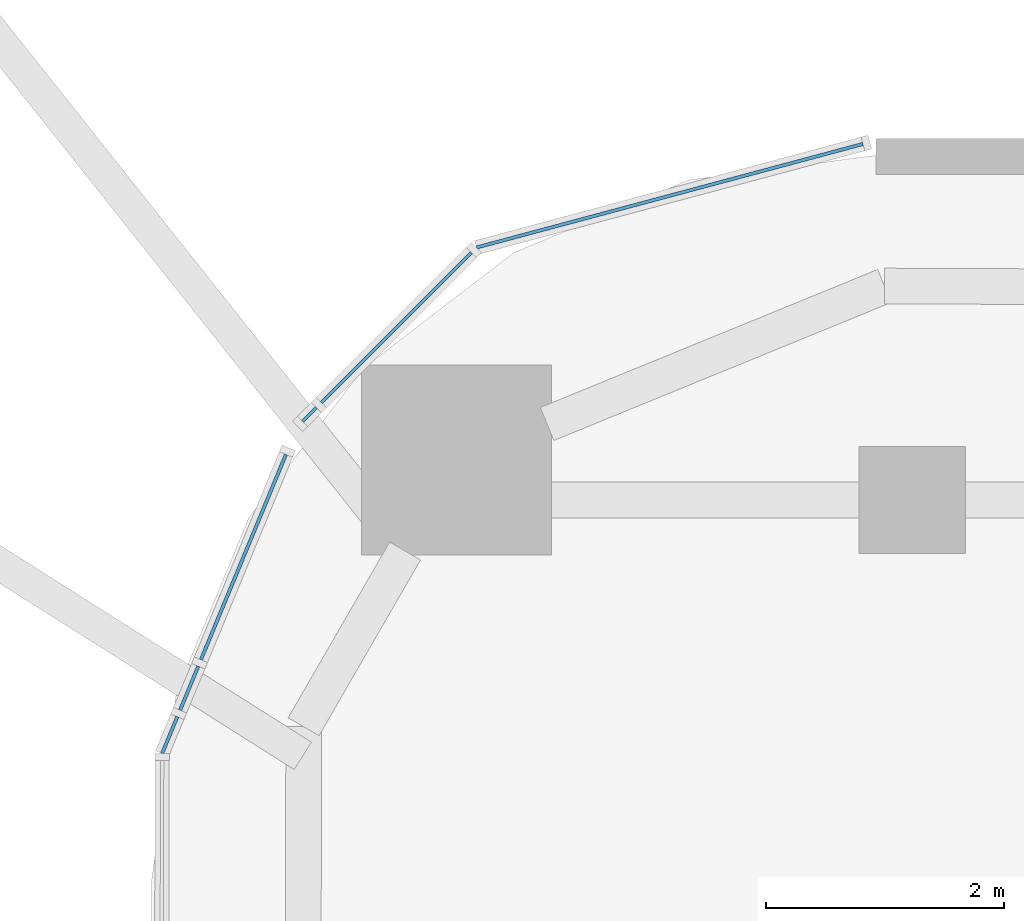
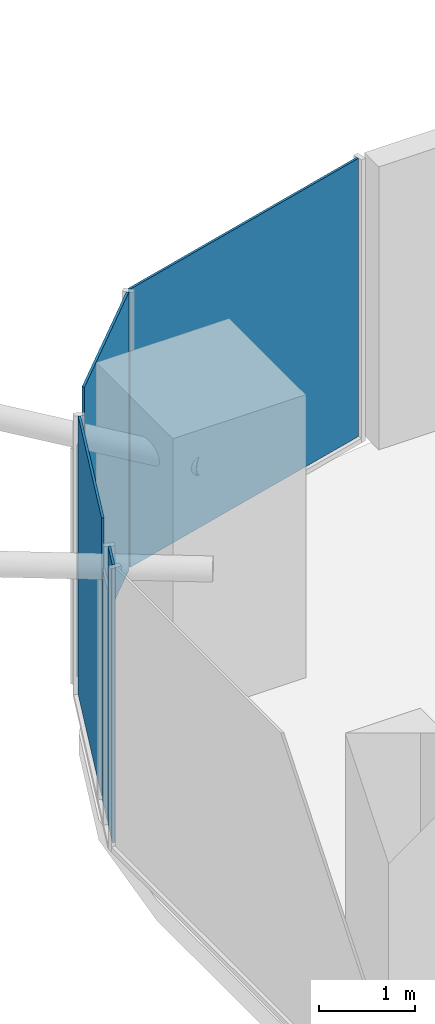
# One storey, part 25 of 36: 6 plates, 6 elements without a shape of their own.
"""IFC4 building model written with IfcOpenShell, lengths in metres."""

import ifcopenshell
import ifcopenshell.guid

model = None  # the IFC model being written
_history = None  # IfcOwnerHistory: only IFC2X3 demands one
_inside = {}  # id of a spatial element -> (the spatial element, [elements in it])
_under = {}  # id of a project, library or spatial element -> (it, [spatial elements below it])
_declared = {}  # id of a project -> (the project, [libraries it declares])
_typed = {}  # id of a type object -> (the type object, [elements of that type])
_made_of = {}  # id of a material, layer set ... -> (it, [elements and type objects made of it])


def new_model(schema):
    """Start an empty IFC model of exactly this schema.

    Asked for "IFC4X3", IfcOpenShell would pick the latest addendum, in which some entities
    have other attributes; the version numbers below select the first issue.
    IFC2X3 requires an IfcOwnerHistory on every rooted entity: one is made here for all.
    """
    global model, _history
    if schema == "IFC4X3":
        model = ifcopenshell.file(schema_version=(4, 3, 0, 0))
    else:
        model = ifcopenshell.file(schema=schema)
    _inside.clear()
    _under.clear()
    _declared.clear()
    _typed.clear()
    _made_of.clear()
    _history = None
    if model.schema == "IFC2X3":
        org = make("IfcOrganization", Name="unknown")
        user = make(
            "IfcPersonAndOrganization",
            ThePerson=make("IfcPerson", FamilyName="unknown"),
            TheOrganization=org,
        )
        app = make(
            "IfcApplication",
            ApplicationDeveloper=org,
            Version="unknown",
            ApplicationFullName="unknown",
            ApplicationIdentifier="unknown",
        )
        _history = make(
            "IfcOwnerHistory",
            OwningUser=user,
            OwningApplication=app,
            ChangeAction="ADDED",
            CreationDate=0,
        )
    return model


def make(cls, **values):
    """One entity of the class cls with the attributes given. An attribute that is None is left unset."""
    return model.create_entity(
        cls, **{name: value for name, value in values.items() if value is not None}
    )


def rooted(cls, **values):
    """An entity with a GlobalId (a new one), such as an element, a storey or a relation."""
    return make(cls, GlobalId=ifcopenshell.guid.new(), OwnerHistory=_history, **values)


def si_unit(unit_type, name, prefix=None):
    """IfcSIUnit, for example si_unit("LENGTHUNIT", "METRE", prefix="MILLI")."""
    return make("IfcSIUnit", UnitType=unit_type, Prefix=prefix, Name=name)


def assignment(units):
    """IfcUnitAssignment: the units of a project."""
    return None if units is None else make("IfcUnitAssignment", Units=units)


def point(xyz):
    """IfcCartesianPoint."""
    return None if xyz is None else make("IfcCartesianPoint", Coordinates=xyz)


def direction(xyz):
    """IfcDirection."""
    return None if xyz is None else make("IfcDirection", DirectionRatios=xyz)


def frame(location, z_axis=None, x_axis=None):
    """IfcAxis2Placement3D, a coordinate frame: its origin and axes. An axis left out is left unset."""
    return make(
        "IfcAxis2Placement3D",
        Location=point(location),
        Axis=direction(z_axis),
        RefDirection=direction(x_axis),
    )


def frame_2d(location, x_axis=None):
    """IfcAxis2Placement2D, a coordinate frame in the plane: its origin and x axis."""
    return make(
        "IfcAxis2Placement2D", Location=point(location), RefDirection=direction(x_axis)
    )


def origin():
    """The frame at (0, 0, 0) with its axes left unset."""
    return frame((0.0, 0.0, 0.0))


def origin_2d():
    """The frame at (0, 0) in the plane with its x axis left unset."""
    return frame_2d((0.0, 0.0))


def place(relative_to, where):
    """IfcLocalPlacement: puts the frame where relative to a parent placement (None: the world)."""
    return make(
        "IfcLocalPlacement", PlacementRelTo=relative_to, RelativePlacement=where
    )


def context(
    kind, dimensions, precision=None, world=None, true_north=None, identifier=None
):
    """IfcGeometricRepresentationContext, for example the 3D "Model" context."""
    return make(
        "IfcGeometricRepresentationContext",
        ContextIdentifier=identifier,
        ContextType=kind,
        CoordinateSpaceDimension=dimensions,
        Precision=precision,
        WorldCoordinateSystem=world,
        TrueNorth=true_north,
    )


def subcontext(parent, identifier, kind, view, scale=None):
    """IfcGeometricRepresentationSubContext, for example "Body" below "Model"."""
    return make(
        "IfcGeometricRepresentationSubContext",
        ContextIdentifier=identifier,
        ContextType=kind,
        ParentContext=parent,
        TargetScale=scale,
        TargetView=view,
    )


def project(units=None, contexts=None):
    """IfcProject with its units and contexts."""
    return rooted(
        "IfcProject",
        Name="project",
        RepresentationContexts=contexts,
        UnitsInContext=assignment(units),
    )


def spatial(cls, under=None, at=None, **own):
    """A site, building, storey or space (cls), placed at a placement, below another one or the project."""
    s = rooted(cls, ObjectPlacement=at, **own)
    if under is not None:
        _under.setdefault(under.id(), (under, []))[1].append(s)
    return s


def profile(cls, at=None, kind="AREA", **sizes):
    """A parametric profile (cls). Its sizes go by their IFC names, for example OverallWidth=200.0."""
    return make(cls, ProfileType=kind, Position=at, **sizes)


def rectangle(**sizes):
    """IfcRectangleProfileDef."""
    return profile("IfcRectangleProfileDef", **sizes)


def extrude(swept, where, along, depth):
    """IfcExtrudedAreaSolid: the profile swept, set in the frame where, extruded along a direction by depth."""
    return make(
        "IfcExtrudedAreaSolid",
        SweptArea=swept,
        Position=where,
        ExtrudedDirection=direction(along),
        Depth=depth,
    )


def shape(context_of_items, identifier, shape_type, items):
    """IfcShapeRepresentation: the items that make up one representation, for example the "Body"."""
    return make(
        "IfcShapeRepresentation",
        ContextOfItems=context_of_items,
        RepresentationIdentifier=identifier,
        RepresentationType=shape_type,
        Items=items,
    )


def material(Name=None, Category=None):
    """IfcMaterial."""
    return make("IfcMaterial", Name=Name, Category=Category)


def layer(
    of_material, thickness, ventilated=None, Name=None, Category=None, Priority=None
):
    """IfcMaterialLayer: one layer of a wall or slab, of a material (None: an air gap)."""
    return make(
        "IfcMaterialLayer",
        Material=of_material,
        LayerThickness=thickness,
        IsVentilated=ventilated,
        Name=Name,
        Category=Category,
        Priority=Priority,
    )


def layer_set(layers, Name=None):
    """IfcMaterialLayerSet."""
    return make("IfcMaterialLayerSet", MaterialLayers=layers, LayerSetName=Name)


def made_of(thing, what):
    """Note that an element or type object is made of a material, layer set ...; save() writes the relation."""
    if what is not None:
        _made_of.setdefault(what.id(), (what, []))[1].append(thing)
    return thing


def type_object(cls, material=None, **own):
    """A type object (cls), such as IfcWallType, which elements share."""
    return made_of(rooted(cls, **own), material)


def element(
    cls,
    number,
    at=None,
    inside=None,
    cuts=None,
    type_object=None,
    material=None,
    context=None,
    identifier="Body",
    shape_type=None,
    held_by="IfcProductDefinitionShape",
    body=None,
    shapes=None,
    **own,
):
    """One element of the class cls, such as IfcWall. Its Tag is "e" and its number.

    at: its placement. inside: the storey or other place that contains it. cuts: it is an
    opening in that element (IfcRelVoidsElement). A single representation is given by context,
    identifier, shape_type and body (its items); several are given by shapes. held_by: the class
    of the entity that holds the representations. save() writes the other relations.
    """
    e = rooted(cls, Tag="e%d" % number, ObjectPlacement=at, **own)
    if body is not None:
        shapes = [shape(context, identifier, shape_type, body)]
    if shapes is not None:
        e.Representation = make(held_by, Representations=shapes)
    if inside is not None:
        _inside.setdefault(inside.id(), (inside, []))[1].append(e)
    if cuts is not None:
        rooted(
            "IfcRelVoidsElement", RelatingBuildingElement=cuts, RelatedOpeningElement=e
        )
    if type_object is not None:
        _typed.setdefault(type_object.id(), (type_object, []))[1].append(e)
    return made_of(e, material)


def aggregate(whole, parts):
    """IfcRelAggregates: a whole, such as a stair, and the parts it consists of."""
    return rooted("IfcRelAggregates", RelatingObject=whole, RelatedObjects=parts)


def save(model, path):
    """Write the relations noted so far, then the file.

    IfcRelAggregates (storeys below a building ...), IfcRelContainedInSpatialStructure (elements
    in a storey), IfcRelDefinesByType, IfcRelAssociatesMaterial and IfcRelDeclares: one each for
    every whole, place, type object, material and project.
    """
    for whole, parts in _under.values():
        aggregate(whole, parts)
    for where, things in _inside.values():
        rooted(
            "IfcRelContainedInSpatialStructure",
            RelatedElements=things,
            RelatingStructure=where,
        )
    for kind, things in _typed.values():
        rooted("IfcRelDefinesByType", RelatedObjects=things, RelatingType=kind)
    for what, things in _made_of.values():
        rooted("IfcRelAssociatesMaterial", RelatedObjects=things, RelatingMaterial=what)
    for by, libraries in _declared.values():
        rooted("IfcRelDeclares", RelatingContext=by, RelatedDefinitions=libraries)
    model.write(path)


model = new_model("IFC4")

# Units and contexts
model_context = context("Model", 3, precision=1e-05, world=origin(), true_north=direction((0.0, 1.0)))
body_context = subcontext(model_context, "Body", "Model", "MODEL_VIEW")
ifc_project = project(units=[si_unit("LENGTHUNIT", "METRE"), si_unit("AREAUNIT", "SQUARE_METRE"), si_unit("VOLUMEUNIT", "CUBIC_METRE"), si_unit("PLANEANGLEUNIT", "RADIAN"), si_unit("MASSUNIT", "GRAM", prefix="KILO")], contexts=[model_context])

# Site, building, storey
site_placement = place(None, origin())
site = spatial("IfcSite", under=ifc_project, at=site_placement, CompositionType="ELEMENT")
building_placement = place(site_placement, origin())
building = spatial("IfcBuilding", under=site, at=building_placement, Name="Marenta Gate Hotel Tower", CompositionType="ELEMENT")
storey_placement = place(building_placement, frame((0.0, 0.0, 158.89990234375)))
storey = spatial("IfcBuildingStorey", under=building, at=storey_placement, Name="L37", CompositionType="ELEMENT", Elevation=158.89990234375)

# Curtain wall, plate
ifc_material_1 = material(Name="Tinted insulated glass in bronze anodised frame", Category="glass")
ifc_layer_1 = layer(ifc_material_1, 0.1201171875)
ifc_layer_set_1 = layer_set([ifc_layer_1], Name="Tinted insulated glass in bronze anodised frame")
curtain_wall_type = type_object("IfcCurtainWallType", Name="Tower unitised curtain wall CW1", PredefinedType="NOTDEFINED", material=ifc_layer_set_1)
curtain_wall_1_placement = place(storey_placement, origin())
curtain_wall_1 = element("IfcCurtainWall", 1, at=curtain_wall_1_placement, inside=storey, type_object=curtain_wall_type, Name="CW1 run G00", PredefinedType="NOTDEFINED")
ifc_material_2 = material(Name="Tinted insulated glass", Category="glass")
ifc_layer_2 = layer(ifc_material_2, 0.028076171875)
ifc_layer_set_2 = layer_set([ifc_layer_2], Name="Tinted insulated glass")
plate_type = type_object("IfcPlateType", Name="Glass panel CW1 28 mm tinted insulated unit", PredefinedType="CURTAIN_PANEL", material=ifc_layer_set_2)
plate_1_placement = place(storey_placement, frame((-23.04052734375, 27.759765625, 0.06005859375), z_axis=(0.0, 0.0, 1.0), x_axis=(-0.96593059835, -0.258801234873, 0.0)))
plate_1 = element("IfcPlate", 2, at=plate_1_placement, type_object=plate_type, Name="CW1 panel 1.1", PredefinedType="CURTAIN_PANEL", context=body_context, shape_type="SweptSolid", body=[
    extrude(rectangle(XDim=3.366943359375, YDim=0.028076171875, at=origin_2d()), origin(), (0.0, 0.0, 1.0), 3.5400390625),
])
aggregate(curtain_wall_1, [plate_1])

curtain_wall_2_placement = place(storey_placement, origin())
curtain_wall_2 = element("IfcCurtainWall", 3, at=curtain_wall_2_placement, inside=storey, type_object=curtain_wall_type, Name="CW1 run G01", PredefinedType="NOTDEFINED")
plate_2_placement = place(storey_placement, frame((-25.340087890625, 26.650634765625, 0.06005859375), z_axis=(0.0, 0.0, 1.0), x_axis=(-0.707106781187, -0.707106781187, 0.0)))
plate_2 = element("IfcPlate", 4, at=plate_2_placement, type_object=plate_type, Name="CW1 panel 1.1", PredefinedType="CURTAIN_PANEL", context=body_context, shape_type="SweptSolid", body=[
    extrude(rectangle(XDim=1.784912109375, YDim=0.028076171875, at=origin_2d()), origin(), (0.0, 0.0, 1.0), 3.5400390625),
])
aggregate(curtain_wall_2, [plate_2])

curtain_wall_3_placement = place(storey_placement, origin())
curtain_wall_3 = element("IfcCurtainWall", 5, at=curtain_wall_3_placement, inside=storey, type_object=curtain_wall_type, Name="CW1 run G02", PredefinedType="NOTDEFINED")
plate_3_placement = place(storey_placement, frame((-26.07177734375, 25.9189453125, 0.060302734375), z_axis=(0.0, 0.0, 1.0), x_axis=(-0.707106781187, -0.707106781187, 0.0)))
plate_3 = element("IfcPlate", 6, at=plate_3_placement, type_object=plate_type, Name="CW1 panel 1.1", PredefinedType="CURTAIN_PANEL", context=body_context, shape_type="SweptSolid", body=[
    extrude(rectangle(XDim=0.164306640625, YDim=0.028076171875, at=origin_2d()), origin(), (0.0, 0.0, 1.0), 2.9404296875),
])
aggregate(curtain_wall_3, [plate_3])

curtain_wall_4_placement = place(storey_placement, origin())
curtain_wall_4 = element("IfcCurtainWall", 7, at=curtain_wall_4_placement, inside=storey, type_object=curtain_wall_type, Name="CW1 run G03", PredefinedType="NOTDEFINED")
plate_4_placement = place(storey_placement, frame((-26.627685546875, 24.71923828125, 0.06005859375), z_axis=(0.0, 0.0, 1.0), x_axis=(-0.382693564371, -0.923875335632, 0.0)))
plate_4 = element("IfcPlate", 8, at=plate_4_placement, type_object=plate_type, Name="CW1 panel 1.1", PredefinedType="CURTAIN_PANEL", context=body_context, shape_type="SweptSolid", body=[
    extrude(rectangle(XDim=1.869384765625, YDim=0.028076171875, at=origin_2d()), origin(), (0.0, 0.0, 1.0), 3.5400390625),
])
aggregate(curtain_wall_4, [plate_4])

curtain_wall_5_placement = place(storey_placement, origin())
curtain_wall_5 = element("IfcCurtainWall", 9, at=curtain_wall_5_placement, inside=storey, type_object=curtain_wall_type, Name="CW1 run G04", PredefinedType="NOTDEFINED")
plate_5_placement = place(storey_placement, frame((-27.084716796875, 23.615478515625, 0.060302734375), z_axis=(0.0, 0.0, 1.0), x_axis=(-0.382838458625, -0.923815303293, 0.0)))
plate_5 = element("IfcPlate", 10, at=plate_5_placement, type_object=plate_type, Name="CW1 panel 1.1", PredefinedType="CURTAIN_PANEL", context=body_context, shape_type="SweptSolid", body=[
    extrude(rectangle(XDim=0.399658203125, YDim=0.028076171875, at=origin_2d()), origin(), (0.0, 0.0, 1.0), 2.9404296875),
])
aggregate(curtain_wall_5, [plate_5])

curtain_wall_6_placement = place(storey_placement, origin())
curtain_wall_6 = element("IfcCurtainWall", 11, at=curtain_wall_6_placement, inside=storey, type_object=curtain_wall_type, Name="CW1 run G05", PredefinedType="NOTDEFINED")
plate_6_placement = place(storey_placement, frame((-27.248291015625, 23.220947265625, 0.06005859375), z_axis=(0.0, 0.0, 1.0), x_axis=(-0.382456188848, -0.923973627119, 0.0)))
plate_6 = element("IfcPlate", 12, at=plate_6_placement, type_object=plate_type, Name="CW1 panel 1.1", PredefinedType="CURTAIN_PANEL", context=body_context, shape_type="SweptSolid", body=[
    extrude(rectangle(XDim=0.334716796875, YDim=0.028076171875, at=origin_2d()), origin(), (0.0, 0.0, 1.0), 3.5400390625),
])
aggregate(curtain_wall_6, [plate_6])

save(model, "model.ifc")
